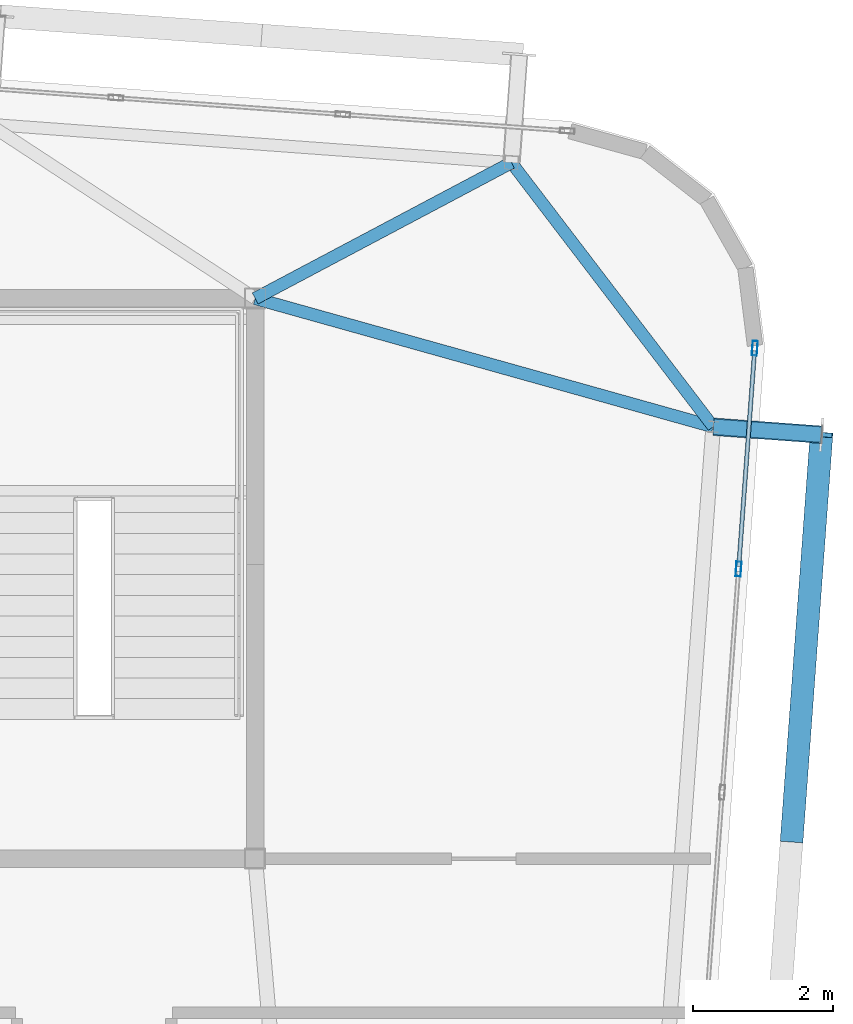
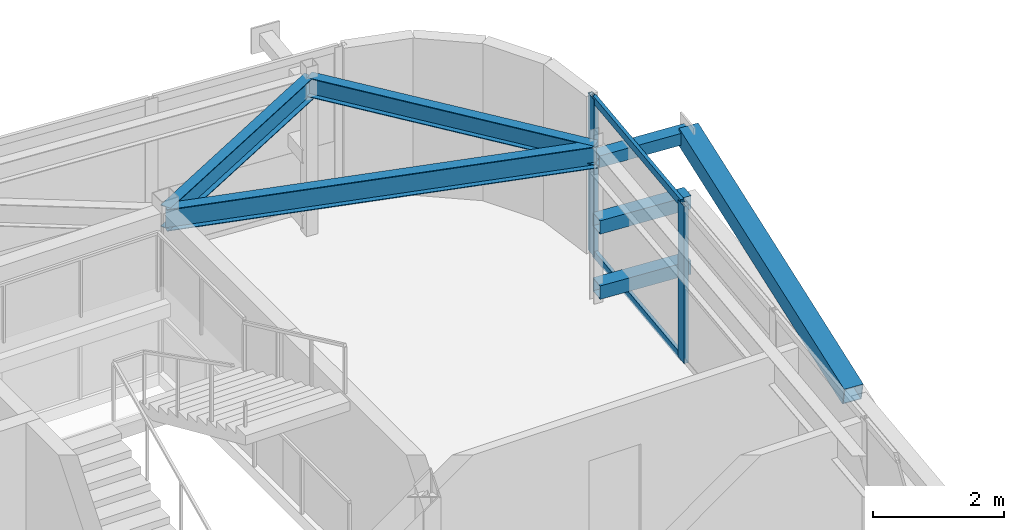
# One storey, part 25 of 42: 8 members, 3 beams, 1 element without a shape of its own.
"""IFC4 building model written with IfcOpenShell, lengths in metres."""

from ifc_helpers import new_model, si_unit, direction, frame, origin, origin_2d, place, context, subcontext, project, spatial, hollow_rectangle, i_section, extrude, source, transform, mapped, material, layer, layer_set, material_profile, profile_set, type_object, element, aggregate, save


model = new_model("IFC4")

# Units and contexts
model_context = context("Model", 3, precision=1e-05, world=origin(), true_north=direction((0.0, 1.0)))
body_context = subcontext(model_context, "Body", "Model", "MODEL_VIEW")
ifc_project = project(units=[si_unit("LENGTHUNIT", "METRE"), si_unit("AREAUNIT", "SQUARE_METRE"), si_unit("VOLUMEUNIT", "CUBIC_METRE"), si_unit("PLANEANGLEUNIT", "RADIAN"), si_unit("MASSUNIT", "GRAM", prefix="KILO")], contexts=[model_context])

# Site, building, storey
site_placement = place(None, origin())
site = spatial("IfcSite", under=ifc_project, at=site_placement, CompositionType="ELEMENT")
building_placement = place(site_placement, origin())
building = spatial("IfcBuilding", under=site, at=building_placement, Name="Taldren Reach Tower", CompositionType="ELEMENT")
storey_placement = place(building_placement, frame((0.0, 0.0, 220.85009765625)))
storey = spatial("IfcBuildingStorey", under=building, at=storey_placement, Name="L67", CompositionType="ELEMENT", Elevation=220.85009765625)

# Beams
ifc_material_1 = material(Name="Steel Gr 350 (350PLUS)", Category="steel")
ifc_material_profile_1 = material_profile(ifc_material_1, i_section(OverallWidth=0.172119140625, OverallDepth=0.35888671875, WebThickness=0.008056640625, FlangeThickness=0.012939453125, at=origin_2d()), Name="360UB56.7")
ifc_profile_set_1 = profile_set([ifc_material_profile_1], Name="Steel Gr 350 (350PLUS)")
beam_type_1 = type_object("IfcBeamType", Name="SP-UB360", PredefinedType="SPANDREL", material=ifc_profile_set_1)
shared_shape_1 = source(origin(), body_context, "Body", "SweptSolid", [
    extrude(i_section(OverallWidth=0.172119140625, OverallDepth=0.35888671875, WebThickness=0.008056640625, FlangeThickness=0.012939453125, at=origin_2d()), origin(), (0.0, 0.0, 1.0), 4.745849609375),
])
beam_1_placement = place(storey_placement, frame((57.540771484375, 30.168701171875, 2.75048828125), z_axis=(-0.607136906115, 0.79459724215, 0.0), x_axis=(-0.79459724215, -0.607136906115, 0.0)))
element("IfcBeam", 1, at=beam_1_placement, inside=storey, type_object=beam_type_1, Name="Perimeter spandrel B5 E3-N6 L67", PredefinedType="SPANDREL", context=body_context, shape_type="MappedRepresentation", body=[
    mapped(shared_shape_1, transform((0.0, 0.0, 0.0), scale=1.0)),
])
ifc_material_profile_2 = material_profile(ifc_material_1, i_section(OverallWidth=0.177978515625, OverallDepth=0.406005859375, WebThickness=0.0078125, FlangeThickness=0.0126953125, at=origin_2d()), Name="410UB59.7")
ifc_profile_set_2 = profile_set([ifc_material_profile_2], Name="Steel Gr 350 (350PLUS)")
beam_type_2 = type_object("IfcBeamType", Name="BM-UB410", PredefinedType="BEAM", material=ifc_profile_set_2)
shared_shape_2 = source(origin(), body_context, "Body", "SweptSolid", [
    extrude(i_section(OverallWidth=0.177978515625, OverallDepth=0.406005859375, WebThickness=0.0078125, FlangeThickness=0.0126953125, at=origin_2d()), origin(), (0.0, 0.0, 1.0), 6.792236328125),
])
beam_2_placement = place(storey_placement, frame((51.0, 32.0, 2.726806640625), z_axis=(0.962968499215, -0.269613926789, 0.0), x_axis=(0.269613926789, 0.962968499215, 0.0)))
element("IfcBeam", 2, at=beam_2_placement, inside=storey, type_object=beam_type_2, Name="Primary floor girder B5-E3 L67", PredefinedType="BEAM", context=body_context, shape_type="MappedRepresentation", body=[
    mapped(shared_shape_2, transform((0.0, 0.0, 0.0), scale=1.0)),
])
shared_shape_3 = source(origin(), body_context, "Body", "SweptSolid", [
    extrude(i_section(OverallWidth=0.177978515625, OverallDepth=0.406005859375, WebThickness=0.0078125, FlangeThickness=0.0126953125, at=origin_2d()), origin(), (0.0, 0.0, 1.0), 4.1416015625),
])
beam_3_placement = place(storey_placement, frame((51.0, 32.0, 2.726806640625), z_axis=(0.883552655042, 0.468331832965, 0.0), x_axis=(-0.468331832965, 0.883552655042, 0.0)))
element("IfcBeam", 3, at=beam_3_placement, inside=storey, type_object=beam_type_2, Name="Primary floor girder B5-N6 L67", PredefinedType="BEAM", context=body_context, shape_type="MappedRepresentation", body=[
    mapped(shared_shape_3, transform((0.0, 0.0, 0.0), scale=1.0)),
])

# Members
ifc_material_2 = material(Name="Steel Gr 450 (C450L0)", Category="steel")
ifc_material_profile_3 = material_profile(ifc_material_2, hollow_rectangle(XDim=0.219970703125, YDim=0.219970703125, WallThickness=0.00830078125, at=origin_2d()), Name="220x220x8.2SHS")
ifc_profile_set_3 = profile_set([ifc_material_profile_3], Name="Steel Gr 450 (C450L0)")
member_type_1 = type_object("IfcMemberType", Name="MB-TIE219", PredefinedType="STRUT", material=ifc_profile_set_3)
shared_shape_4 = source(origin(), body_context, "Body", "SweptSolid", [
    extrude(hollow_rectangle(XDim=0.219970703125, YDim=0.219970703125, WallThickness=0.00830078125, at=origin_2d()), origin(), (0.0, 0.0, 1.0), 1.5458984375),
])
member_1_placement = place(storey_placement, frame((57.544921875, 30.168212890625, 2.64990234375), z_axis=(0.99732305975, -0.073121231459, 0.0), x_axis=(0.073121231459, 0.99732305975, 0.0)))
element("IfcMember", 4, at=member_1_placement, inside=storey, type_object=member_type_1, Name="Exoskeleton diaphragm tie strut B5-E3 L67", PredefinedType="STRUT", context=body_context, shape_type="MappedRepresentation", body=[
    mapped(shared_shape_4, transform((0.0, 0.0, 0.0), scale=1.0)),
])
ifc_material_profile_4 = material_profile(ifc_material_2, hollow_rectangle(XDim=0.324951171875, YDim=0.324951171875, WallThickness=0.0126953125, at=origin_2d()), Name="325x325x12.7SHS")
ifc_profile_set_4 = profile_set([ifc_material_profile_4], Name="Steel Gr 450 (C450L0)")
member_type_2 = type_object("IfcMemberType", Name="MB-BR324", PredefinedType="BRACE", material=ifc_profile_set_4)
shared_shape_5 = source(origin(), body_context, "Body", "SweptSolid", [
    extrude(hollow_rectangle(XDim=0.324951171875, YDim=0.324951171875, WallThickness=0.0126953125, at=origin_2d()), origin(), (0.0, 0.0, 1.0), 5.926025390625),
])
member_2_placement = place(storey_placement, frame((58.661865234375, 24.270751953125, 1.434814453125), z_axis=(0.071685935393, 0.976123486939, 0.205046494513), x_axis=(-0.997314185625, 0.073242167855, 0.0)))
element("IfcMember", 5, at=member_2_placement, inside=storey, type_object=member_type_2, Name="Exoskeleton Diagrid Brace B5-E2 L67", PredefinedType="BRACE", context=body_context, shape_type="MappedRepresentation", body=[
    mapped(shared_shape_5, transform((0.0, 0.0, 0.0), scale=1.0)),
])
ifc_material_3 = material(Name="Steel Gr 350 (C350L0)", Category="steel")
ifc_material_profile_5 = material_profile(ifc_material_3, hollow_rectangle(XDim=0.25, YDim=0.25, WallThickness=0.010009765625, at=origin_2d()), Name="250x250x10.0SHS")
ifc_profile_set_5 = profile_set([ifc_material_profile_5], Name="Steel Gr 350 (C350L0)")
member_type_3 = type_object("IfcMemberType", Name="MB-POST250", PredefinedType="POST", material=ifc_profile_set_5)
shared_shape_6 = source(origin(), body_context, "Body", "SweptSolid", [
    extrude(hollow_rectangle(XDim=0.25, YDim=0.25, WallThickness=0.010009765625, at=origin_2d()), origin(), (0.0, 0.0, 1.0), 1.5458984375),
])
for number, where, z_axis, x_axis, name in (
    (6, (57.544921875, 30.168212890625, 0.219970703125), (0.99732305975, -0.073121231459, 0.0), (0.073121231459, 0.99732305975, 0.0), "Exoskeleton base diaphragm tie strut B5-E3 L67"),
    (7, (57.544921875, 30.168212890625, 1.434814453125), (0.99732305975, -0.073121231459, 0.0), (0.073121231459, 0.99732305975, 0.0), "Exoskeleton mid-tier diaphragm tie B5-E3 L67"),
):
    element("IfcMember", number, at=place(storey_placement, frame(where, z_axis=z_axis, x_axis=x_axis)), inside=storey, type_object=member_type_3, Name=name, PredefinedType="POST", context=body_context, shape_type="MappedRepresentation", body=[
        mapped(shared_shape_6, transform((0.0, 0.0, 0.0), scale=1.0)),
    ])

# Curtain wall, members
ifc_material_4 = material(Name="Aluminium and Low-E Glass Unitised System", Category="aluminium")
ifc_layer = layer(ifc_material_4, 0.159912109375)
ifc_layer_set = layer_set([ifc_layer], Name="Aluminium and Low-E Glass Unitised System")
curtain_wall_type = type_object("IfcCurtainWallType", Name="CW-SYS-6", PredefinedType="NOTDEFINED", material=ifc_layer_set)
curtain_wall_placement = place(storey_placement, origin())
curtain_wall = element("IfcCurtainWall", 8, at=curtain_wall_placement, inside=storey, type_object=curtain_wall_type, Name="Unitised curtain wall CW-L67-E", PredefinedType="NOTDEFINED")
ifc_material_5 = material(Name="Anodised Aluminium 6063-T6", Category="aluminium")
ifc_material_profile_6 = material_profile(ifc_material_5, hollow_rectangle(XDim=0.074951171875, YDim=0.2099609375, WallThickness=0.00439453125, at=origin_2d()), Name="ALU-210x75x4.5RHS")
ifc_profile_set_6 = profile_set([ifc_material_profile_6], Name="Anodised Aluminium 6063-T6")
member_type_4 = type_object("IfcMemberType", Name="CW-MUL-200", PredefinedType="MULLION", material=ifc_profile_set_6)
shared_shape_7 = source(origin(), body_context, "Body", "SweptSolid", [
    extrude(hollow_rectangle(XDim=0.074951171875, YDim=0.2099609375, WallThickness=0.00439453125, at=origin_2d()), origin(), (0.0, 0.0, 1.0), 2.929931640625),
])
member_3_placement = place(storey_placement, frame((57.903076171875, 28.13671875, 0.0), z_axis=(0.0, 0.0, 1.0), x_axis=(-0.997314470951, 0.073238282558, 0.0)))
member_3 = element("IfcMember", 9, at=member_3_placement, type_object=member_type_4, Name="CW-6 mullion 8", PredefinedType="MULLION", context=body_context, shape_type="MappedRepresentation", body=[
    mapped(shared_shape_7, transform((0.0, 0.0, 0.0), scale=1.0)),
])
member_4_placement = place(storey_placement, frame((58.134765625, 31.29052734375, 0.0), z_axis=(0.0, 0.0, 1.0), x_axis=(-0.997314470951, 0.073238282558, 0.0)))
member_4 = element("IfcMember", 10, at=member_4_placement, type_object=member_type_4, Name="CW-6 mullion 9", PredefinedType="MULLION", context=body_context, shape_type="MappedRepresentation", body=[
    mapped(shared_shape_7, transform((0.0, 0.0, 0.0), scale=1.0)),
])
ifc_material_profile_7 = material_profile(ifc_material_5, hollow_rectangle(XDim=0.06005859375, YDim=0.135009765625, WallThickness=0.00341796875, at=origin_2d()), Name="ALU-135x60x3.5RHS")
ifc_profile_set_7 = profile_set([ifc_material_profile_7], Name="Anodised Aluminium 6063-T6")
member_type_5 = type_object("IfcMemberType", Name="CW-TRN-150", PredefinedType="USERDEFINED", material=ifc_profile_set_7)
shared_shape_8 = source(origin(), body_context, "Body", "SweptSolid", [
    extrude(hollow_rectangle(XDim=0.06005859375, YDim=0.135009765625, WallThickness=0.00341796875, at=origin_2d()), origin(), (0.0, 0.0, 1.0), 3.08740234375),
])
member_5_placement = place(storey_placement, frame((57.90576171875, 28.174072265625, 0.02978515625), z_axis=(0.073225031802, 0.997315443938, 0.0), x_axis=(-0.997315443938, 0.073225031802, 0.0)))
member_5 = element("IfcMember", 11, at=member_5_placement, type_object=member_type_5, Name="CW-6 transom 8.1", ObjectType="TRANSOM", PredefinedType="USERDEFINED", context=body_context, shape_type="MappedRepresentation", body=[
    mapped(shared_shape_8, transform((0.0, 0.0, 0.0), scale=1.0)),
])
member_6_placement = place(storey_placement, frame((57.90576171875, 28.174072265625, 2.89990234375), z_axis=(0.073225031802, 0.997315443938, 0.0), x_axis=(-0.997315443938, 0.073225031802, 0.0)))
member_6 = element("IfcMember", 12, at=member_6_placement, type_object=member_type_5, Name="CW-6 transom 8.2", ObjectType="TRANSOM", PredefinedType="USERDEFINED", context=body_context, shape_type="MappedRepresentation", body=[
    mapped(shared_shape_8, transform((0.0, 0.0, 0.0), scale=1.0)),
])
aggregate(curtain_wall, [member_3, member_4, member_5, member_6])

save(model, "model.ifc")
